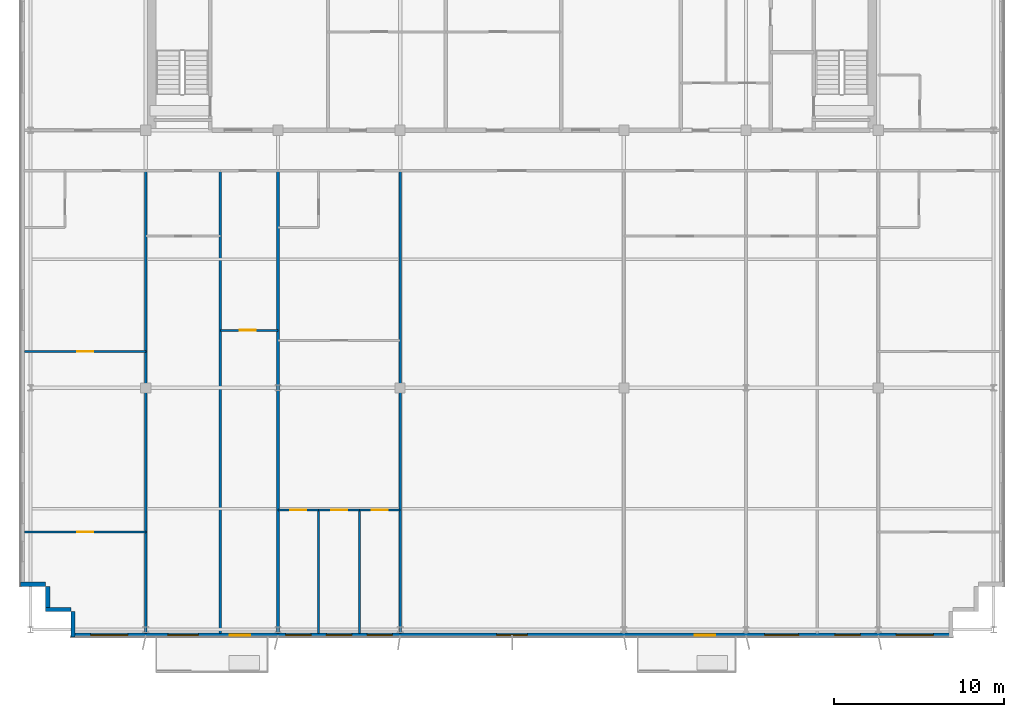
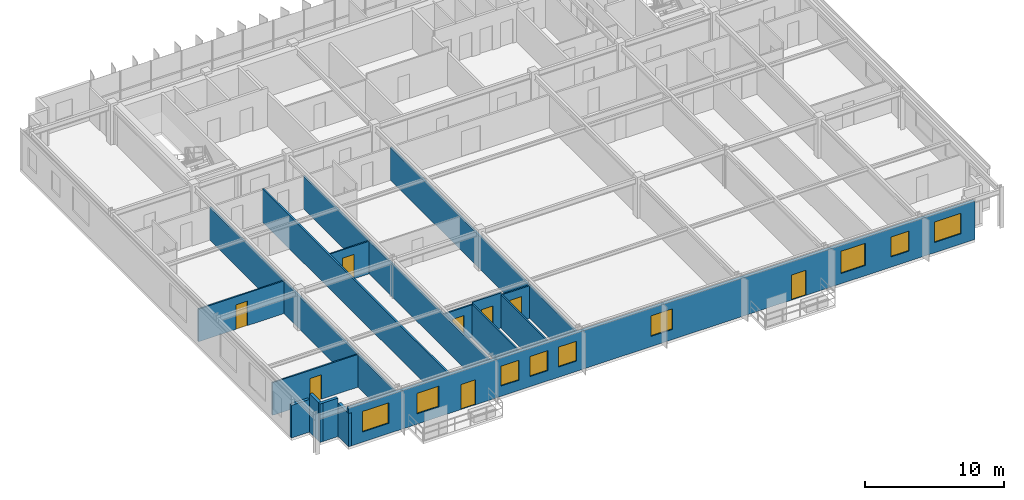
# One storey, part 16 of 22: 17 walls, 9 windows, 8 doors, 17 openings.
"""IFC4 building model written with IfcOpenShell, lengths in metres."""

import ifcopenshell
import ifcopenshell.guid

model = None  # the IFC model being written
_history = None  # IfcOwnerHistory: only IFC2X3 demands one
_inside = {}  # id of a spatial element -> (the spatial element, [elements in it])
_under = {}  # id of a project, library or spatial element -> (it, [spatial elements below it])
_declared = {}  # id of a project -> (the project, [libraries it declares])
_typed = {}  # id of a type object -> (the type object, [elements of that type])
_made_of = {}  # id of a material, layer set ... -> (it, [elements and type objects made of it])


def new_model(schema):
    """Start an empty IFC model of exactly this schema.

    Asked for "IFC4X3", IfcOpenShell would pick the latest addendum, in which some entities
    have other attributes; the version numbers below select the first issue.
    IFC2X3 requires an IfcOwnerHistory on every rooted entity: one is made here for all.
    """
    global model, _history
    if schema == "IFC4X3":
        model = ifcopenshell.file(schema_version=(4, 3, 0, 0))
    else:
        model = ifcopenshell.file(schema=schema)
    _inside.clear()
    _under.clear()
    _declared.clear()
    _typed.clear()
    _made_of.clear()
    _history = None
    if model.schema == "IFC2X3":
        org = make("IfcOrganization", Name="unknown")
        user = make(
            "IfcPersonAndOrganization",
            ThePerson=make("IfcPerson", FamilyName="unknown"),
            TheOrganization=org,
        )
        app = make(
            "IfcApplication",
            ApplicationDeveloper=org,
            Version="unknown",
            ApplicationFullName="unknown",
            ApplicationIdentifier="unknown",
        )
        _history = make(
            "IfcOwnerHistory",
            OwningUser=user,
            OwningApplication=app,
            ChangeAction="ADDED",
            CreationDate=0,
        )
    return model


def make(cls, **values):
    """One entity of the class cls with the attributes given. An attribute that is None is left unset."""
    return model.create_entity(
        cls, **{name: value for name, value in values.items() if value is not None}
    )


def rooted(cls, **values):
    """An entity with a GlobalId (a new one), such as an element, a storey or a relation."""
    return make(cls, GlobalId=ifcopenshell.guid.new(), OwnerHistory=_history, **values)


def si_unit(unit_type, name, prefix=None):
    """IfcSIUnit, for example si_unit("LENGTHUNIT", "METRE", prefix="MILLI")."""
    return make("IfcSIUnit", UnitType=unit_type, Prefix=prefix, Name=name)


def assignment(units):
    """IfcUnitAssignment: the units of a project."""
    return None if units is None else make("IfcUnitAssignment", Units=units)


def point(xyz):
    """IfcCartesianPoint."""
    return None if xyz is None else make("IfcCartesianPoint", Coordinates=xyz)


def direction(xyz):
    """IfcDirection."""
    return None if xyz is None else make("IfcDirection", DirectionRatios=xyz)


def frame(location, z_axis=None, x_axis=None):
    """IfcAxis2Placement3D, a coordinate frame: its origin and axes. An axis left out is left unset."""
    return make(
        "IfcAxis2Placement3D",
        Location=point(location),
        Axis=direction(z_axis),
        RefDirection=direction(x_axis),
    )


def frame_2d(location, x_axis=None):
    """IfcAxis2Placement2D, a coordinate frame in the plane: its origin and x axis."""
    return make(
        "IfcAxis2Placement2D", Location=point(location), RefDirection=direction(x_axis)
    )


def origin():
    """The frame at (0, 0, 0) with its axes left unset."""
    return frame((0.0, 0.0, 0.0))


def place(relative_to, where):
    """IfcLocalPlacement: puts the frame where relative to a parent placement (None: the world)."""
    return make(
        "IfcLocalPlacement", PlacementRelTo=relative_to, RelativePlacement=where
    )


def context(
    kind, dimensions, precision=None, world=None, true_north=None, identifier=None
):
    """IfcGeometricRepresentationContext, for example the 3D "Model" context."""
    return make(
        "IfcGeometricRepresentationContext",
        ContextIdentifier=identifier,
        ContextType=kind,
        CoordinateSpaceDimension=dimensions,
        Precision=precision,
        WorldCoordinateSystem=world,
        TrueNorth=true_north,
    )


def subcontext(parent, identifier, kind, view, scale=None):
    """IfcGeometricRepresentationSubContext, for example "Body" below "Model"."""
    return make(
        "IfcGeometricRepresentationSubContext",
        ContextIdentifier=identifier,
        ContextType=kind,
        ParentContext=parent,
        TargetScale=scale,
        TargetView=view,
    )


def project(units=None, contexts=None):
    """IfcProject with its units and contexts."""
    return rooted(
        "IfcProject",
        Name="project",
        RepresentationContexts=contexts,
        UnitsInContext=assignment(units),
    )


def spatial(cls, under=None, at=None, **own):
    """A site, building, storey or space (cls), placed at a placement, below another one or the project."""
    s = rooted(cls, ObjectPlacement=at, **own)
    if under is not None:
        _under.setdefault(under.id(), (under, []))[1].append(s)
    return s


def profile(cls, at=None, kind="AREA", **sizes):
    """A parametric profile (cls). Its sizes go by their IFC names, for example OverallWidth=200.0."""
    return make(cls, ProfileType=kind, Position=at, **sizes)


def rectangle(**sizes):
    """IfcRectangleProfileDef."""
    return profile("IfcRectangleProfileDef", **sizes)


def extrude(swept, where, along, depth):
    """IfcExtrudedAreaSolid: the profile swept, set in the frame where, extruded along a direction by depth."""
    return make(
        "IfcExtrudedAreaSolid",
        SweptArea=swept,
        Position=where,
        ExtrudedDirection=direction(along),
        Depth=depth,
    )


def shape(context_of_items, identifier, shape_type, items):
    """IfcShapeRepresentation: the items that make up one representation, for example the "Body"."""
    return make(
        "IfcShapeRepresentation",
        ContextOfItems=context_of_items,
        RepresentationIdentifier=identifier,
        RepresentationType=shape_type,
        Items=items,
    )


def source(mapping_origin, context_of_items, identifier, shape_type, items):
    """IfcRepresentationMap: a shape defined once, which mapped items show again and again."""
    return make(
        "IfcRepresentationMap",
        MappingOrigin=mapping_origin,
        MappedRepresentation=shape(context_of_items, identifier, shape_type, items),
    )


def transform(
    local_origin,
    x_axis=None,
    y_axis=None,
    z_axis=None,
    scale=None,
    scale2=None,
    scale3=None,
    uniform=True,
):
    """IfcCartesianTransformationOperator3D, or its non-uniform kind. x_axis, y_axis, z_axis: its Axis1, 2, 3."""
    if uniform:
        return make(
            "IfcCartesianTransformationOperator3D",
            Axis1=direction(x_axis),
            Axis2=direction(y_axis),
            LocalOrigin=point(local_origin),
            Scale=scale,
            Axis3=direction(z_axis),
        )
    return make(
        "IfcCartesianTransformationOperator3DnonUniform",
        Axis1=direction(x_axis),
        Axis2=direction(y_axis),
        LocalOrigin=point(local_origin),
        Scale=scale,
        Axis3=direction(z_axis),
        Scale2=scale2,
        Scale3=scale3,
    )


def mapped(mapping_source, mapping_target):
    """IfcMappedItem: shows the shape of a source again, moved by a transform."""
    return make(
        "IfcMappedItem", MappingSource=mapping_source, MappingTarget=mapping_target
    )


def material(Name=None, Category=None):
    """IfcMaterial."""
    return make("IfcMaterial", Name=Name, Category=Category)


def layer(
    of_material, thickness, ventilated=None, Name=None, Category=None, Priority=None
):
    """IfcMaterialLayer: one layer of a wall or slab, of a material (None: an air gap)."""
    return make(
        "IfcMaterialLayer",
        Material=of_material,
        LayerThickness=thickness,
        IsVentilated=ventilated,
        Name=Name,
        Category=Category,
        Priority=Priority,
    )


def layer_set(layers, Name=None):
    """IfcMaterialLayerSet."""
    return make("IfcMaterialLayerSet", MaterialLayers=layers, LayerSetName=Name)


def made_of(thing, what):
    """Note that an element or type object is made of a material, layer set ...; save() writes the relation."""
    if what is not None:
        _made_of.setdefault(what.id(), (what, []))[1].append(thing)
    return thing


def type_object(cls, material=None, **own):
    """A type object (cls), such as IfcWallType, which elements share."""
    return made_of(rooted(cls, **own), material)


def element(
    cls,
    number,
    at=None,
    inside=None,
    cuts=None,
    type_object=None,
    material=None,
    context=None,
    identifier="Body",
    shape_type=None,
    held_by="IfcProductDefinitionShape",
    body=None,
    shapes=None,
    **own,
):
    """One element of the class cls, such as IfcWall. Its Tag is "e" and its number.

    at: its placement. inside: the storey or other place that contains it. cuts: it is an
    opening in that element (IfcRelVoidsElement). A single representation is given by context,
    identifier, shape_type and body (its items); several are given by shapes. held_by: the class
    of the entity that holds the representations. save() writes the other relations.
    """
    e = rooted(cls, Tag="e%d" % number, ObjectPlacement=at, **own)
    if body is not None:
        shapes = [shape(context, identifier, shape_type, body)]
    if shapes is not None:
        e.Representation = make(held_by, Representations=shapes)
    if inside is not None:
        _inside.setdefault(inside.id(), (inside, []))[1].append(e)
    if cuts is not None:
        rooted(
            "IfcRelVoidsElement", RelatingBuildingElement=cuts, RelatedOpeningElement=e
        )
    if type_object is not None:
        _typed.setdefault(type_object.id(), (type_object, []))[1].append(e)
    return made_of(e, material)


def fill(opening, filler):
    """IfcRelFillsElement: the door or window that sits in an opening."""
    return rooted(
        "IfcRelFillsElement",
        RelatingOpeningElement=opening,
        RelatedBuildingElement=filler,
    )


def aggregate(whole, parts):
    """IfcRelAggregates: a whole, such as a stair, and the parts it consists of."""
    return rooted("IfcRelAggregates", RelatingObject=whole, RelatedObjects=parts)


def save(model, path):
    """Write the relations noted so far, then the file.

    IfcRelAggregates (storeys below a building ...), IfcRelContainedInSpatialStructure (elements
    in a storey), IfcRelDefinesByType, IfcRelAssociatesMaterial and IfcRelDeclares: one each for
    every whole, place, type object, material and project.
    """
    for whole, parts in _under.values():
        aggregate(whole, parts)
    for where, things in _inside.values():
        rooted(
            "IfcRelContainedInSpatialStructure",
            RelatedElements=things,
            RelatingStructure=where,
        )
    for kind, things in _typed.values():
        rooted("IfcRelDefinesByType", RelatedObjects=things, RelatingType=kind)
    for what, things in _made_of.values():
        rooted("IfcRelAssociatesMaterial", RelatedObjects=things, RelatingMaterial=what)
    for by, libraries in _declared.values():
        rooted("IfcRelDeclares", RelatingContext=by, RelatedDefinitions=libraries)
    model.write(path)


model = new_model("IFC4")

# Units and contexts
model_context = context("Model", 3, precision=1e-05, world=origin(), true_north=direction((0.0, 1.0)))
body_context = subcontext(model_context, "Body", "Model", "MODEL_VIEW")
ifc_project = project(units=[si_unit("LENGTHUNIT", "METRE"), si_unit("AREAUNIT", "SQUARE_METRE"), si_unit("VOLUMEUNIT", "CUBIC_METRE"), si_unit("PLANEANGLEUNIT", "RADIAN"), si_unit("MASSUNIT", "GRAM", prefix="KILO")], contexts=[model_context])

# Site, building, storey
site_placement = place(None, origin())
site = spatial("IfcSite", under=ifc_project, at=site_placement, CompositionType="ELEMENT")
building_placement = place(site_placement, origin())
building = spatial("IfcBuilding", under=site, at=building_placement, Name="Trelvane Seafront Commons", CompositionType="ELEMENT")
storey_placement = place(building_placement, frame((0.0, 0.0, 273.89990234375)))
storey = spatial("IfcBuildingStorey", under=building, at=storey_placement, Name="L71", CompositionType="ELEMENT", Elevation=273.89990234375)

# Walls
ifc_material_1 = material(Name="Precast concrete C40/50", Category="concrete")
ifc_layer_1 = layer(ifc_material_1, 0.239990234375, Name="ARCH-WALL-EXT240")
ifc_layer_set_1 = layer_set([ifc_layer_1], Name="Precast concrete C40/50")
wall_type_1 = type_object("IfcWallType", Name="ARCH-WALL-EXT240", PredefinedType="SOLIDWALL", material=ifc_layer_set_1)
for number, where, z_axis, x_axis, name in (
    (1, (11.199951171875, 5.1201171875, 0.0), (0.0, 0.0, 1.0), (-1.0, 0.0, 0.0), "EW-L71-01426"),
    (2, (9.820068359375, 5.0, 0.0), (0.0, 0.0, 1.0), (0.0, 1.0, 0.0), "EW-L71-01427"),
):
    element("IfcWall", number, at=place(storey_placement, frame(where, z_axis=z_axis, x_axis=x_axis)), inside=storey, type_object=wall_type_1, Name=name, PredefinedType="SOLIDWALL", context=body_context, shape_type="SweptSolid", body=[
        extrude(rectangle(XDim=1.5, YDim=0.239990234375, at=frame_2d((0.75, 0.0))), origin(), (0.0, 0.0, 1.0), 3.3701171875),
    ])
wall_1_placement = place(storey_placement, frame((9.699951171875, 6.6201171875, 0.0), z_axis=(0.0, 0.0, 1.0), x_axis=(-1.0, 0.0, 0.0)))
element("IfcWall", 3, at=wall_1_placement, inside=storey, type_object=wall_type_1, Name="EW-L71-01428", PredefinedType="SOLIDWALL", context=body_context, shape_type="SweptSolid", body=[
    extrude(rectangle(XDim=1.5, YDim=0.239990234375, at=frame_2d((0.75, 0.0))), origin(), (0.0, 0.0, 1.0), 2.8701171875),
])

# Wall, openings, doors, windows
wall_2_placement = place(storey_placement, frame((63.199951171875, 3.6201171875, 0.0), z_axis=(0.0, 0.0, 1.0), x_axis=(-1.0, 0.0, 0.0)))
wall_2 = element("IfcWall", 4, at=wall_2_placement, inside=storey, type_object=wall_type_1, Name="EW-L71-01443", PredefinedType="SOLIDWALL", context=body_context, shape_type="SweptSolid", body=[
    extrude(rectangle(XDim=52.0, YDim=0.239990234375, at=frame_2d((26.0, 0.0))), origin(), (0.0, 0.0, 1.0), 3.3701171875),
])
opening_1_placement = place(wall_2_placement, frame((1.14501953125, 0.0, 0.89990234375)))
opening_1 = element("IfcOpeningElement", 5, at=opening_1_placement, cuts=wall_2, Name="Opening W02", PredefinedType="OPENING", context=body_context, shape_type="SweptSolid", body=[
    extrude(rectangle(XDim=2.199951171875, YDim=1.800048828125, at=frame_2d((1.10009765625, 0.89990234375))), frame((0.0, 0.1298828125, 0.0), z_axis=(0.0, -1.0, 0.0), x_axis=(1.0, 0.0, 0.0)), (0.0, 0.0, 1.0), 0.260009765625),
])
opening_2_placement = place(wall_2_placement, frame((5.449951171875, 0.0, 0.89990234375)))
opening_2 = element("IfcOpeningElement", 6, at=opening_2_placement, cuts=wall_2, Name="Opening W03", PredefinedType="OPENING", context=body_context, shape_type="SweptSolid", body=[
    extrude(rectangle(XDim=1.5, YDim=1.75, at=frame_2d((0.75, 0.875))), frame((0.0, 0.1298828125, 0.0), z_axis=(0.0, -1.0, 0.0), x_axis=(1.0, 0.0, 0.0)), (0.0, 0.0, 1.0), 0.260009765625),
])
opening_3_placement = place(wall_2_placement, frame((9.10009765625, 0.0, 0.89990234375)))
opening_3 = element("IfcOpeningElement", 7, at=opening_3_placement, cuts=wall_2, Name="Opening W06", PredefinedType="OPENING", context=body_context, shape_type="SweptSolid", body=[
    extrude(rectangle(XDim=2.0, YDim=1.949951171875, at=frame_2d((1.0, 0.97509765625))), frame((0.0, 0.1298828125, 0.0), z_axis=(0.0, -1.0, 0.0), x_axis=(1.0, 0.0, 0.0)), (0.0, 0.0, 1.0), 0.260009765625),
])
opening_4_placement = place(wall_2_placement, frame((14.01708984375, 0.0, 0.0)))
opening_4 = element("IfcOpeningElement", 8, at=opening_4_placement, cuts=wall_2, Name="Opening BD-L71-144", PredefinedType="OPENING", context=body_context, shape_type="SweptSolid", body=[
    extrude(rectangle(XDim=1.199951171875, YDim=2.199951171875, at=frame_2d((0.60009765625, 1.10009765625))), frame((0.0, 0.1298828125, 0.0), z_axis=(0.0, -1.0, 0.0), x_axis=(1.0, 0.0, 0.0)), (0.0, 0.0, 1.0), 0.260009765625),
])
opening_5_placement = place(wall_2_placement, frame((25.10009765625, 0.0, 0.89990234375)))
opening_5 = element("IfcOpeningElement", 9, at=opening_5_placement, cuts=wall_2, Name="Opening W01", PredefinedType="OPENING", context=body_context, shape_type="SweptSolid", body=[
    extrude(rectangle(XDim=1.800048828125, YDim=1.800048828125, at=frame_2d((0.89990234375, 0.89990234375))), frame((0.0, 0.1298828125, 0.0), z_axis=(0.0, -1.0, 0.0), x_axis=(1.0, 0.0, 0.0)), (0.0, 0.0, 1.0), 0.260009765625),
])
opening_6_placement = place(wall_2_placement, frame((33.050048828125, 0.0, 0.89990234375)))
opening_6 = element("IfcOpeningElement", 10, at=opening_6_placement, cuts=wall_2, Name="Opening W03", PredefinedType="OPENING", context=body_context, shape_type="SweptSolid", body=[
    extrude(rectangle(XDim=1.5, YDim=1.75, at=frame_2d((0.75, 0.875))), frame((0.0, 0.1298828125, 0.0), z_axis=(0.0, -1.0, 0.0), x_axis=(1.0, 0.0, 0.0)), (0.0, 0.0, 1.0), 0.260009765625),
])
opening_7_placement = place(wall_2_placement, frame((35.449951171875, 0.0, 0.89990234375)))
opening_7 = element("IfcOpeningElement", 11, at=opening_7_placement, cuts=wall_2, Name="Opening W03", PredefinedType="OPENING", context=body_context, shape_type="SweptSolid", body=[
    extrude(rectangle(XDim=1.5, YDim=1.75, at=frame_2d((0.75, 0.875))), frame((0.0, 0.1298828125, 0.0), z_axis=(0.0, -1.0, 0.0), x_axis=(1.0, 0.0, 0.0)), (0.0, 0.0, 1.0), 0.260009765625),
])
opening_8_placement = place(wall_2_placement, frame((37.85009765625, 0.0, 0.89990234375)))
opening_8 = element("IfcOpeningElement", 12, at=opening_8_placement, cuts=wall_2, Name="Opening W03", PredefinedType="OPENING", context=body_context, shape_type="SweptSolid", body=[
    extrude(rectangle(XDim=1.5, YDim=1.75, at=frame_2d((0.75, 0.875))), frame((0.0, 0.1298828125, 0.0), z_axis=(0.0, -1.0, 0.0), x_axis=(1.0, 0.0, 0.0)), (0.0, 0.0, 1.0), 0.260009765625),
])
opening_9_placement = place(wall_2_placement, frame((41.451904296875, 0.0, 0.0)))
opening_9 = element("IfcOpeningElement", 13, at=opening_9_placement, cuts=wall_2, Name="Opening BD-L71-145", PredefinedType="OPENING", context=body_context, shape_type="SweptSolid", body=[
    extrude(rectangle(XDim=1.199951171875, YDim=2.199951171875, at=frame_2d((0.60009765625, 1.10009765625))), frame((0.0, 0.1298828125, 0.0), z_axis=(0.0, -1.0, 0.0), x_axis=(1.0, 0.0, 0.0)), (0.0, 0.0, 1.0), 0.260009765625),
])
opening_10_placement = place(wall_2_placement, frame((44.5, 0.0, 0.89990234375)))
opening_10 = element("IfcOpeningElement", 14, at=opening_10_placement, cuts=wall_2, Name="Opening W01", PredefinedType="OPENING", context=body_context, shape_type="SweptSolid", body=[
    extrude(rectangle(XDim=1.800048828125, YDim=1.800048828125, at=frame_2d((0.89990234375, 0.89990234375))), frame((0.0, 0.1298828125, 0.0), z_axis=(0.0, -1.0, 0.0), x_axis=(1.0, 0.0, 0.0)), (0.0, 0.0, 1.0), 0.260009765625),
])
opening_11_placement = place(wall_2_placement, frame((48.655029296875, 0.0, 0.89990234375)))
opening_11 = element("IfcOpeningElement", 15, at=opening_11_placement, cuts=wall_2, Name="Opening W02", PredefinedType="OPENING", context=body_context, shape_type="SweptSolid", body=[
    extrude(rectangle(XDim=2.199951171875, YDim=1.800048828125, at=frame_2d((1.10009765625, 0.89990234375))), frame((0.0, 0.1298828125, 0.0), z_axis=(0.0, -1.0, 0.0), x_axis=(1.0, 0.0, 0.0)), (0.0, 0.0, 1.0), 0.260009765625),
])
ifc_material_2 = material(Name="Powder-coated aluminium frame", Category="aluminium")
door_type_1 = type_object("IfcDoorType", Name="ARCH-DR-BAL1200", OperationType="NOTDEFINED", PredefinedType="DOOR", material=ifc_material_2)
shared_shape_1 = source(origin(), body_context, "Body", "SweptSolid", [
    extrude(rectangle(XDim=1.199951171875, YDim=2.199951171875, at=frame_2d((0.60009765625, 1.10009765625))), frame((0.0, 0.02490234375, 0.0), z_axis=(0.0, -1.0, 0.0), x_axis=(1.0, 0.0, 0.0)), (0.0, 0.0, 1.0), 0.050048828125),
])
door_1_placement = place(opening_4_placement, origin())
door_1 = element("IfcDoor", 16, at=door_1_placement, inside=storey, type_object=door_type_1, Name="L71 Balcony Terrace Access Door", OperationType="SINGLE_SWING_LEFT", OverallHeight=2.199951171875, OverallWidth=1.199951171875, PredefinedType="DOOR", context=body_context, shape_type="MappedRepresentation", body=[
    mapped(shared_shape_1, transform((0.0, 0.0, 0.0), x_axis=(1.0, 0.0, 0.0), y_axis=(0.0, 1.0, 0.0), z_axis=(0.0, 0.0, 1.0), scale=1.0)),
])
fill(opening_4, door_1)
door_2_placement = place(opening_9_placement, origin())
door_2 = element("IfcDoor", 17, at=door_2_placement, inside=storey, type_object=door_type_1, Name="L71 Balcony Terrace Access Door", OperationType="SINGLE_SWING_LEFT", OverallHeight=2.199951171875, OverallWidth=1.199951171875, PredefinedType="DOOR", context=body_context, shape_type="MappedRepresentation", body=[
    mapped(shared_shape_1, transform((0.0, 0.0, 0.0), x_axis=(1.0, 0.0, 0.0), y_axis=(0.0, 1.0, 0.0), z_axis=(0.0, 0.0, 1.0), scale=1.0)),
])
fill(opening_9, door_2)
ifc_material_3 = material(Name="Low-E coastal double glazing", Category="glass")
window_type_1 = type_object("IfcWindowType", Name="ARCH-WIN-W02", PartitioningType="SINGLE_PANEL", PredefinedType="WINDOW", material=ifc_material_3)
shared_shape_2 = source(origin(), body_context, "Body", "SweptSolid", [
    extrude(rectangle(XDim=2.199951171875, YDim=1.800048828125, at=frame_2d((1.10009765625, 0.89990234375))), frame((0.0, 0.030029296875, 0.0), z_axis=(0.0, -1.0, 0.0), x_axis=(1.0, 0.0, 0.0)), (0.0, 0.0, 1.0), 0.06005859375),
])
window_1_placement = place(opening_1_placement, origin())
window_1 = element("IfcWindow", 18, at=window_1_placement, inside=storey, type_object=window_type_1, Name="WIN-L71-01713", OverallHeight=1.800048828125, OverallWidth=2.199951171875, PartitioningType="SINGLE_PANEL", PredefinedType="WINDOW", context=body_context, shape_type="MappedRepresentation", body=[
    mapped(shared_shape_2, transform((0.0, 0.0, 0.0), x_axis=(1.0, 0.0, 0.0), y_axis=(0.0, 1.0, 0.0), z_axis=(0.0, 0.0, 1.0), scale=1.0)),
])
fill(opening_1, window_1)
window_2_placement = place(opening_11_placement, origin())
window_2 = element("IfcWindow", 19, at=window_2_placement, inside=storey, type_object=window_type_1, Name="WIN-L71-01721", OverallHeight=1.800048828125, OverallWidth=2.199951171875, PartitioningType="SINGLE_PANEL", PredefinedType="WINDOW", context=body_context, shape_type="MappedRepresentation", body=[
    mapped(shared_shape_2, transform((0.0, 0.0, 0.0), x_axis=(1.0, 0.0, 0.0), y_axis=(0.0, 1.0, 0.0), z_axis=(0.0, 0.0, 1.0), scale=1.0)),
])
fill(opening_11, window_2)
window_type_2 = type_object("IfcWindowType", Name="ARCH-WIN-W03", PartitioningType="SINGLE_PANEL", PredefinedType="WINDOW", material=ifc_material_3)
shared_shape_3 = source(origin(), body_context, "Body", "SweptSolid", [
    extrude(rectangle(XDim=1.5, YDim=1.75, at=frame_2d((0.75, 0.875))), frame((0.0, 0.030029296875, 0.0), z_axis=(0.0, -1.0, 0.0), x_axis=(1.0, 0.0, 0.0)), (0.0, 0.0, 1.0), 0.06005859375),
])
window_3_placement = place(opening_2_placement, origin())
window_3 = element("IfcWindow", 20, at=window_3_placement, inside=storey, type_object=window_type_2, Name="WIN-L71-01714", OverallHeight=1.75, OverallWidth=1.5, PartitioningType="SINGLE_PANEL", PredefinedType="WINDOW", context=body_context, shape_type="MappedRepresentation", body=[
    mapped(shared_shape_3, transform((0.0, 0.0, 0.0), x_axis=(1.0, 0.0, 0.0), y_axis=(0.0, 1.0, 0.0), z_axis=(0.0, 0.0, 1.0), scale=1.0)),
])
fill(opening_2, window_3)
window_4_placement = place(opening_6_placement, origin())
window_4 = element("IfcWindow", 21, at=window_4_placement, inside=storey, type_object=window_type_2, Name="WIN-L71-01717", OverallHeight=1.75, OverallWidth=1.5, PartitioningType="SINGLE_PANEL", PredefinedType="WINDOW", context=body_context, shape_type="MappedRepresentation", body=[
    mapped(shared_shape_3, transform((0.0, 0.0, 0.0), x_axis=(1.0, 0.0, 0.0), y_axis=(0.0, 1.0, 0.0), z_axis=(0.0, 0.0, 1.0), scale=1.0)),
])
fill(opening_6, window_4)
window_5_placement = place(opening_7_placement, origin())
window_5 = element("IfcWindow", 22, at=window_5_placement, inside=storey, type_object=window_type_2, Name="WIN-L71-01718", OverallHeight=1.75, OverallWidth=1.5, PartitioningType="SINGLE_PANEL", PredefinedType="WINDOW", context=body_context, shape_type="MappedRepresentation", body=[
    mapped(shared_shape_3, transform((0.0, 0.0, 0.0), x_axis=(1.0, 0.0, 0.0), y_axis=(0.0, 1.0, 0.0), z_axis=(0.0, 0.0, 1.0), scale=1.0)),
])
fill(opening_7, window_5)
window_6_placement = place(opening_8_placement, origin())
window_6 = element("IfcWindow", 23, at=window_6_placement, inside=storey, type_object=window_type_2, Name="WIN-L71-01719", OverallHeight=1.75, OverallWidth=1.5, PartitioningType="SINGLE_PANEL", PredefinedType="WINDOW", context=body_context, shape_type="MappedRepresentation", body=[
    mapped(shared_shape_3, transform((0.0, 0.0, 0.0), x_axis=(1.0, 0.0, 0.0), y_axis=(0.0, 1.0, 0.0), z_axis=(0.0, 0.0, 1.0), scale=1.0)),
])
fill(opening_8, window_6)
window_type_3 = type_object("IfcWindowType", Name="ARCH-WIN-W06", PartitioningType="SINGLE_PANEL", PredefinedType="WINDOW", material=ifc_material_3)
shared_shape_4 = source(origin(), body_context, "Body", "SweptSolid", [
    extrude(rectangle(XDim=2.0, YDim=1.949951171875, at=frame_2d((1.0, 0.97509765625))), frame((0.0, 0.030029296875, 0.0), z_axis=(0.0, -1.0, 0.0), x_axis=(1.0, 0.0, 0.0)), (0.0, 0.0, 1.0), 0.06005859375),
])
window_7_placement = place(opening_3_placement, origin())
window_7 = element("IfcWindow", 24, at=window_7_placement, inside=storey, type_object=window_type_3, Name="WIN-L71-01715", OverallHeight=1.949951171875, OverallWidth=2.0, PartitioningType="SINGLE_PANEL", PredefinedType="WINDOW", context=body_context, shape_type="MappedRepresentation", body=[
    mapped(shared_shape_4, transform((0.0, 0.0, 0.0), x_axis=(1.0, 0.0, 0.0), y_axis=(0.0, 1.0, 0.0), z_axis=(0.0, 0.0, 1.0), scale=1.0)),
])
fill(opening_3, window_7)
window_type_4 = type_object("IfcWindowType", Name="ARCH-WIN-W01", PartitioningType="SINGLE_PANEL", PredefinedType="WINDOW", material=ifc_material_3)
shared_shape_5 = source(origin(), body_context, "Body", "SweptSolid", [
    extrude(rectangle(XDim=1.800048828125, YDim=1.800048828125, at=frame_2d((0.89990234375, 0.89990234375))), frame((0.0, 0.030029296875, 0.0), z_axis=(0.0, -1.0, 0.0), x_axis=(1.0, 0.0, 0.0)), (0.0, 0.0, 1.0), 0.06005859375),
])
window_8_placement = place(opening_5_placement, origin())
window_8 = element("IfcWindow", 25, at=window_8_placement, inside=storey, type_object=window_type_4, Name="WIN-L71-01716", OverallHeight=1.800048828125, OverallWidth=1.800048828125, PartitioningType="SINGLE_PANEL", PredefinedType="WINDOW", context=body_context, shape_type="MappedRepresentation", body=[
    mapped(shared_shape_5, transform((0.0, 0.0, 0.0), x_axis=(1.0, 0.0, 0.0), y_axis=(0.0, 1.0, 0.0), z_axis=(0.0, 0.0, 1.0), scale=1.0)),
])
fill(opening_5, window_8)
window_9_placement = place(opening_10_placement, origin())
window_9 = element("IfcWindow", 26, at=window_9_placement, inside=storey, type_object=window_type_4, Name="WIN-L71-01720", OverallHeight=1.800048828125, OverallWidth=1.800048828125, PartitioningType="SINGLE_PANEL", PredefinedType="WINDOW", context=body_context, shape_type="MappedRepresentation", body=[
    mapped(shared_shape_5, transform((0.0, 0.0, 0.0), x_axis=(1.0, 0.0, 0.0), y_axis=(0.0, 1.0, 0.0), z_axis=(0.0, 0.0, 1.0), scale=1.0)),
])
fill(opening_10, window_9)

# Wall
wall_3_placement = place(storey_placement, frame((11.320068359375, 3.5, 0.0), z_axis=(0.0, 0.0, 1.0), x_axis=(0.0, 1.0, 0.0)))
element("IfcWall", 27, at=wall_3_placement, inside=storey, type_object=wall_type_1, Name="EW-L71-01444", PredefinedType="SOLIDWALL", context=body_context, shape_type="SweptSolid", body=[
    extrude(rectangle(XDim=1.5, YDim=0.239990234375, at=frame_2d((0.75, 0.0))), origin(), (0.0, 0.0, 1.0), 2.920166015625),
])

# Wall, opening, door
ifc_material_4 = material(Name="Gypsum Drywall Acoustic Partition")
ifc_layer_2 = layer(ifc_material_4, 0.1201171875, Name="ARCH-WALL-PART120")
ifc_layer_set_2 = layer_set([ifc_layer_2], Name="Gypsum Drywall Acoustic Partition")
wall_type_2 = type_object("IfcWallType", Name="ARCH-WALL-PART120", PredefinedType="PARTITIONING", material=ifc_layer_set_2)
wall_4_placement = place(storey_placement, frame((8.43994140625, 20.35009765625, 0.0), z_axis=(0.0, 0.0, 1.0), x_axis=(1.0, 0.0, 0.0)))
wall_4 = element("IfcWall", 28, at=wall_4_placement, inside=storey, type_object=wall_type_2, Name="W-L71-U1-KL-053", PredefinedType="PARTITIONING", context=body_context, shape_type="SweptSolid", body=[
    extrude(rectangle(XDim=7.16015625, YDim=0.1201171875, at=frame_2d((3.580078125, 0.0))), origin(), (0.0, 0.0, 1.0), 2.8701171875),
])
opening_12_placement = place(wall_4_placement, frame((3.10498046875, 0.0, 0.0)))
opening_12 = element("IfcOpeningElement", 29, at=opening_12_placement, cuts=wall_4, Name="Opening D-L71-30", PredefinedType="OPENING", context=body_context, shape_type="SweptSolid", body=[
    extrude(rectangle(XDim=0.949951171875, YDim=2.14990234375, at=frame_2d((0.47509765625, 1.074951171875))), frame((0.0, 0.070068359375, 0.0), z_axis=(0.0, -1.0, 0.0), x_axis=(1.0, 0.0, 0.0)), (0.0, 0.0, 1.0), 0.14013671875),
])
ifc_material_5 = material(Name="Acoustic timber door leaf", Category="wood")
door_type_2 = type_object("IfcDoorType", Name="ARCH-DR-INT950", OperationType="NOTDEFINED", PredefinedType="DOOR", material=ifc_material_5)
shared_shape_6 = source(origin(), body_context, "Body", "SweptSolid", [
    extrude(rectangle(XDim=0.949951171875, YDim=2.14990234375, at=frame_2d((0.47509765625, 1.074951171875))), frame((0.0, 0.02490234375, 0.0), z_axis=(0.0, -1.0, 0.0), x_axis=(1.0, 0.0, 0.0)), (0.0, 0.0, 1.0), 0.050048828125),
])
door_3_placement = place(opening_12_placement, origin())
door_3 = element("IfcDoor", 30, at=door_3_placement, inside=storey, type_object=door_type_2, Name="L71 Door 30", OperationType="SINGLE_SWING_RIGHT", OverallHeight=2.14990234375, OverallWidth=0.949951171875, PredefinedType="DOOR", context=body_context, shape_type="MappedRepresentation", body=[
    mapped(shared_shape_6, transform((0.0, 0.0, 0.0), x_axis=(1.0, 0.0, 0.0), y_axis=(0.0, 1.0, 0.0), z_axis=(0.0, 0.0, 1.0), scale=1.0)),
])
fill(opening_12, door_3)

wall_5_placement = place(storey_placement, frame((8.43994140625, 9.699951171875, 0.0), z_axis=(0.0, 0.0, 1.0), x_axis=(1.0, 0.0, 0.0)))
wall_5 = element("IfcWall", 31, at=wall_5_placement, inside=storey, type_object=wall_type_2, Name="W-L71-U1-YM-1-057", PredefinedType="PARTITIONING", context=body_context, shape_type="SweptSolid", body=[
    extrude(rectangle(XDim=7.16015625, YDim=0.1201171875, at=frame_2d((3.580078125, 0.0))), origin(), (0.0, 0.0, 1.0), 2.8701171875),
])
opening_13_placement = place(wall_5_placement, frame((3.10498046875, 0.0, 0.0)))
opening_13 = element("IfcOpeningElement", 32, at=opening_13_placement, cuts=wall_5, Name="Opening D-L71-33", PredefinedType="OPENING", context=body_context, shape_type="SweptSolid", body=[
    extrude(rectangle(XDim=0.949951171875, YDim=2.14990234375, at=frame_2d((0.47509765625, 1.074951171875))), frame((0.0, 0.070068359375, 0.0), z_axis=(0.0, -1.0, 0.0), x_axis=(1.0, 0.0, 0.0)), (0.0, 0.0, 1.0), 0.14013671875),
])
door_4_placement = place(opening_13_placement, origin())
door_4 = element("IfcDoor", 33, at=door_4_placement, inside=storey, type_object=door_type_2, Name="L71 Door 33", OperationType="SINGLE_SWING_LEFT", OverallHeight=2.14990234375, OverallWidth=0.949951171875, PredefinedType="DOOR", context=body_context, shape_type="MappedRepresentation", body=[
    mapped(shared_shape_6, transform((0.0, 0.0, 0.0), x_axis=(1.0, 0.0, 0.0), y_axis=(0.0, 1.0, 0.0), z_axis=(0.0, 0.0, 1.0), scale=1.0)),
])
fill(opening_13, door_4)

wall_6_placement = place(storey_placement, frame((20.0, 21.60009765625, 0.0), z_axis=(0.0, 0.0, 1.0), x_axis=(1.0, 0.0, 0.0)))
wall_6 = element("IfcWall", 34, at=wall_6_placement, inside=storey, type_object=wall_type_2, Name="W-L71-U3-DIV-061", PredefinedType="PARTITIONING", context=body_context, shape_type="SweptSolid", body=[
    extrude(rectangle(XDim=3.39990234375, YDim=0.1201171875, at=frame_2d((1.699951171875, 0.0))), origin(), (0.0, 0.0, 1.0), 2.8701171875),
])
opening_14_placement = place(wall_6_placement, frame((1.131103515625, 0.0, 0.0)))
opening_14 = element("IfcOpeningElement", 35, at=opening_14_placement, cuts=wall_6, Name="Opening D-L71-37", PredefinedType="OPENING", context=body_context, shape_type="SweptSolid", body=[
    extrude(rectangle(XDim=0.949951171875, YDim=2.14990234375, at=frame_2d((0.47509765625, 1.074951171875))), frame((0.0, 0.070068359375, 0.0), z_axis=(0.0, -1.0, 0.0), x_axis=(1.0, 0.0, 0.0)), (0.0, 0.0, 1.0), 0.14013671875),
])
door_5_placement = place(opening_14_placement, origin())
door_5 = element("IfcDoor", 36, at=door_5_placement, inside=storey, type_object=door_type_2, Name="L71 Door 37", OperationType="SINGLE_SWING_LEFT", OverallHeight=2.14990234375, OverallWidth=0.949951171875, PredefinedType="DOOR", context=body_context, shape_type="MappedRepresentation", body=[
    mapped(shared_shape_6, transform((0.0, 0.0, 0.0), x_axis=(1.0, 0.0, 0.0), y_axis=(0.0, 1.0, 0.0), z_axis=(0.0, 0.0, 1.0), scale=1.0)),
])
fill(opening_14, door_5)

wall_7_placement = place(storey_placement, frame((23.39990234375, 11.0, 0.0), z_axis=(0.0, 0.0, 1.0), x_axis=(1.0, 0.0, 0.0)))
wall_7 = element("IfcWall", 37, at=wall_7_placement, inside=storey, type_object=wall_type_2, Name="W-L71-U4-YM-1-066", PredefinedType="PARTITIONING", context=body_context, shape_type="SweptSolid", body=[
    extrude(rectangle(XDim=2.400146484375, YDim=0.1201171875, at=frame_2d((1.2001953125, 0.0))), origin(), (0.0, 0.0, 1.0), 2.8701171875),
])
opening_15_placement = place(wall_7_placement, frame((0.72509765625, 0.0, 0.0)))
opening_15 = element("IfcOpeningElement", 38, at=opening_15_placement, cuts=wall_7, Name="Opening D-L71-41", PredefinedType="OPENING", context=body_context, shape_type="SweptSolid", body=[
    extrude(rectangle(XDim=0.949951171875, YDim=2.14990234375, at=frame_2d((0.47509765625, 1.074951171875))), frame((0.0, 0.070068359375, 0.0), z_axis=(0.0, -1.0, 0.0), x_axis=(1.0, 0.0, 0.0)), (0.0, 0.0, 1.0), 0.14013671875),
])
door_6_placement = place(opening_15_placement, origin())
door_6 = element("IfcDoor", 39, at=door_6_placement, inside=storey, type_object=door_type_2, Name="L71 Door 41", OperationType="SINGLE_SWING_LEFT", OverallHeight=2.14990234375, OverallWidth=0.949951171875, PredefinedType="DOOR", context=body_context, shape_type="MappedRepresentation", body=[
    mapped(shared_shape_6, transform((0.0, 0.0, 0.0), x_axis=(1.0, 0.0, 0.0), y_axis=(0.0, 1.0, 0.0), z_axis=(0.0, 0.0, 1.0), scale=1.0)),
])
fill(opening_15, door_6)

wall_8_placement = place(storey_placement, frame((25.800048828125, 11.0, 0.0), z_axis=(0.0, 0.0, 1.0), x_axis=(1.0, 0.0, 0.0)))
wall_8 = element("IfcWall", 40, at=wall_8_placement, inside=storey, type_object=wall_type_2, Name="W-L71-U4-YM-2-067", PredefinedType="PARTITIONING", context=body_context, shape_type="SweptSolid", body=[
    extrude(rectangle(XDim=2.39990234375, YDim=0.1201171875, at=frame_2d((1.199951171875, 0.0))), origin(), (0.0, 0.0, 1.0), 3.070068359375),
])
opening_16_placement = place(wall_8_placement, frame((0.72509765625, 0.0, 0.0)))
opening_16 = element("IfcOpeningElement", 41, at=opening_16_placement, cuts=wall_8, Name="Opening D-L71-42", PredefinedType="OPENING", context=body_context, shape_type="SweptSolid", body=[
    extrude(rectangle(XDim=0.949951171875, YDim=2.14990234375, at=frame_2d((0.47509765625, 1.074951171875))), frame((0.0, 0.070068359375, 0.0), z_axis=(0.0, -1.0, 0.0), x_axis=(1.0, 0.0, 0.0)), (0.0, 0.0, 1.0), 0.14013671875),
])
door_7_placement = place(opening_16_placement, origin())
door_7 = element("IfcDoor", 42, at=door_7_placement, inside=storey, type_object=door_type_2, Name="L71 Door 42", OperationType="SINGLE_SWING_RIGHT", OverallHeight=2.14990234375, OverallWidth=0.949951171875, PredefinedType="DOOR", context=body_context, shape_type="MappedRepresentation", body=[
    mapped(shared_shape_6, transform((0.0, 0.0, 0.0), x_axis=(1.0, 0.0, 0.0), y_axis=(0.0, 1.0, 0.0), z_axis=(0.0, 0.0, 1.0), scale=1.0)),
])
fill(opening_16, door_7)

# Wall
wall_9_placement = place(storey_placement, frame((25.800048828125, 3.72509765625, 0.0), z_axis=(0.0, 0.0, 1.0), x_axis=(0.0, 1.0, 0.0)))
element("IfcWall", 43, at=wall_9_placement, inside=storey, type_object=wall_type_2, Name="W-L71-U4-BDV-1-068", PredefinedType="PARTITIONING", context=body_context, shape_type="SweptSolid", body=[
    extrude(rectangle(XDim=7.27490234375, YDim=0.1201171875, at=frame_2d((3.637451171875, 0.0))), origin(), (0.0, 0.0, 1.0), 2.920166015625),
])

# Wall, opening, door
wall_10_placement = place(storey_placement, frame((28.199951171875, 11.0, 0.0), z_axis=(0.0, 0.0, 1.0), x_axis=(1.0, 0.0, 0.0)))
wall_10 = element("IfcWall", 44, at=wall_10_placement, inside=storey, type_object=wall_type_2, Name="W-L71-U4-YM-3-069", PredefinedType="PARTITIONING", context=body_context, shape_type="SweptSolid", body=[
    extrude(rectangle(XDim=2.400146484375, YDim=0.1201171875, at=frame_2d((1.2001953125, 0.0))), origin(), (0.0, 0.0, 1.0), 2.8701171875),
])
opening_17_placement = place(wall_10_placement, frame((0.72509765625, 0.0, 0.0)))
opening_17 = element("IfcOpeningElement", 45, at=opening_17_placement, cuts=wall_10, Name="Opening D-L71-43", PredefinedType="OPENING", context=body_context, shape_type="SweptSolid", body=[
    extrude(rectangle(XDim=0.949951171875, YDim=2.14990234375, at=frame_2d((0.47509765625, 1.074951171875))), frame((0.0, 0.070068359375, 0.0), z_axis=(0.0, -1.0, 0.0), x_axis=(1.0, 0.0, 0.0)), (0.0, 0.0, 1.0), 0.14013671875),
])
door_8_placement = place(opening_17_placement, origin())
door_8 = element("IfcDoor", 46, at=door_8_placement, inside=storey, type_object=door_type_2, Name="L71 Door 43", OperationType="SINGLE_SWING_LEFT", OverallHeight=2.14990234375, OverallWidth=0.949951171875, PredefinedType="DOOR", context=body_context, shape_type="MappedRepresentation", body=[
    mapped(shared_shape_6, transform((0.0, 0.0, 0.0), x_axis=(1.0, 0.0, 0.0), y_axis=(0.0, 1.0, 0.0), z_axis=(0.0, 0.0, 1.0), scale=1.0)),
])
fill(opening_17, door_8)

# Walls
wall_11_placement = place(storey_placement, frame((28.199951171875, 3.72509765625, 0.0), z_axis=(0.0, 0.0, 1.0), x_axis=(0.0, 1.0, 0.0)))
element("IfcWall", 47, at=wall_11_placement, inside=storey, type_object=wall_type_2, Name="W-L71-U4-BDV-2-070", PredefinedType="PARTITIONING", context=body_context, shape_type="SweptSolid", body=[
    extrude(rectangle(XDim=7.27490234375, YDim=0.1201171875, at=frame_2d((3.637451171875, 0.0))), origin(), (0.0, 0.0, 1.0), 2.920166015625),
])
ifc_layer_3 = layer(ifc_material_4, 0.14990234375, Name="ARCH-WALL-PART150")
ifc_layer_set_3 = layer_set([ifc_layer_3], Name="Gypsum Drywall Acoustic Partition")
wall_type_3 = type_object("IfcWallType", Name="ARCH-WALL-PART150", PredefinedType="PARTITIONING", material=ifc_layer_set_3)
wall_12_placement = place(storey_placement, frame((15.60009765625, 3.72509765625, 0.0), z_axis=(0.0, 0.0, 1.0), x_axis=(0.0, 1.0, 0.0)))
element("IfcWall", 48, at=wall_12_placement, inside=storey, type_object=wall_type_3, Name="W-L71-PW-1-045", PredefinedType="PARTITIONING", context=body_context, shape_type="SweptSolid", body=[
    extrude(rectangle(XDim=27.27490234375, YDim=0.14990234375, at=frame_2d((13.637451171875, 0.0))), origin(), (0.0, 0.0, 1.0), 2.8701171875),
])
wall_13_placement = place(storey_placement, frame((20.0, 3.72509765625, 0.0), z_axis=(0.0, 0.0, 1.0), x_axis=(0.0, 1.0, 0.0)))
element("IfcWall", 49, at=wall_13_placement, inside=storey, type_object=wall_type_3, Name="W-L71-PW-2-046", PredefinedType="PARTITIONING", context=body_context, shape_type="SweptSolid", body=[
    extrude(rectangle(XDim=27.27490234375, YDim=0.14990234375, at=frame_2d((13.637451171875, 0.0))), origin(), (0.0, 0.0, 1.0), 2.920166015625),
])
for number, where, z_axis, x_axis, name in (
    (50, (23.39990234375, 3.72509765625, 0.0), (0.0, 0.0, 1.0), (0.0, 1.0, 0.0), "W-L71-PW-3-047"),
    (51, (30.60009765625, 3.72509765625, 0.0), (0.0, 0.0, 1.0), (0.0, 1.0, 0.0), "W-L71-PW-4-048"),
):
    element("IfcWall", number, at=place(storey_placement, frame(where, z_axis=z_axis, x_axis=x_axis)), inside=storey, type_object=wall_type_3, Name=name, PredefinedType="PARTITIONING", context=body_context, shape_type="SweptSolid", body=[
        extrude(rectangle(XDim=27.27490234375, YDim=0.14990234375, at=frame_2d((13.637451171875, 0.0))), origin(), (0.0, 0.0, 1.0), 2.8701171875),
    ])

save(model, "model.ifc")
